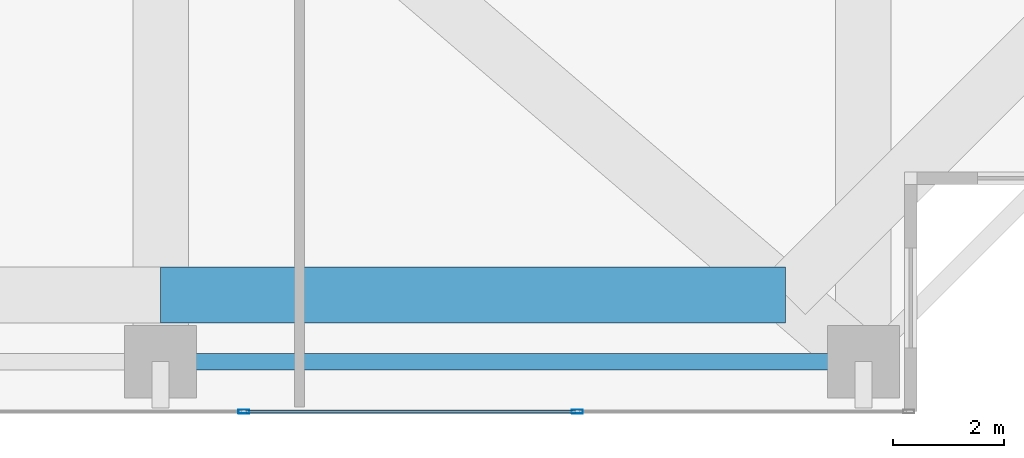
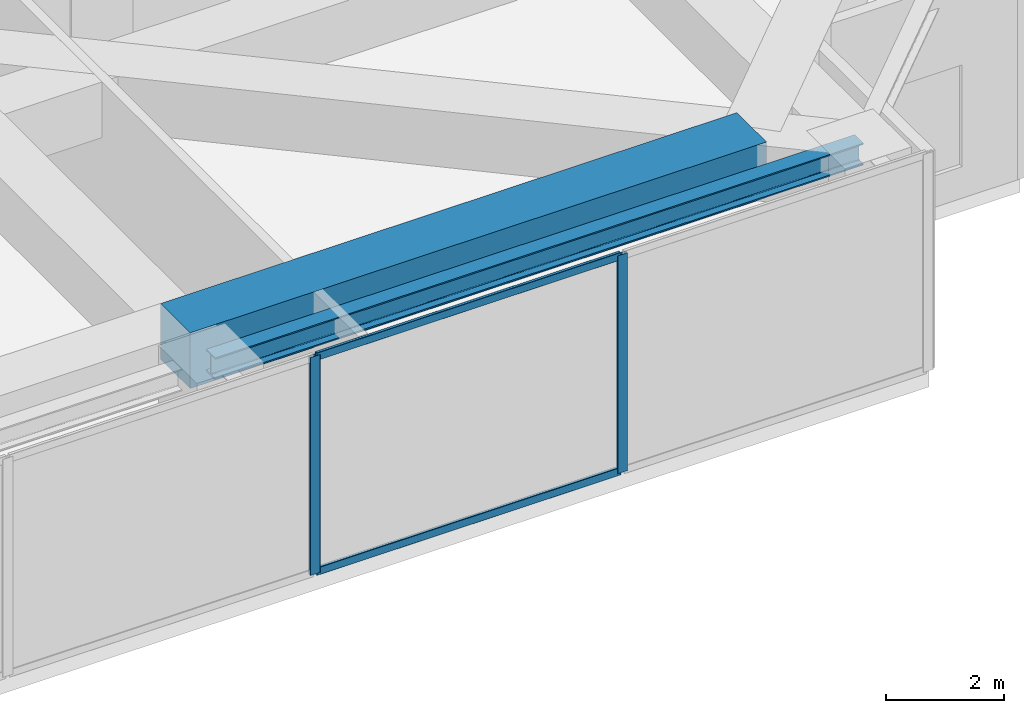
# One storey, part 11 of 35: 4 members, 2 beams, 1 element without a shape of its own.
"""IFC4 building model written with IfcOpenShell, lengths in metres."""

import ifcopenshell
import ifcopenshell.guid

model = None  # the IFC model being written
_history = None  # IfcOwnerHistory: only IFC2X3 demands one
_inside = {}  # id of a spatial element -> (the spatial element, [elements in it])
_under = {}  # id of a project, library or spatial element -> (it, [spatial elements below it])
_declared = {}  # id of a project -> (the project, [libraries it declares])
_typed = {}  # id of a type object -> (the type object, [elements of that type])
_made_of = {}  # id of a material, layer set ... -> (it, [elements and type objects made of it])


def new_model(schema):
    """Start an empty IFC model of exactly this schema.

    Asked for "IFC4X3", IfcOpenShell would pick the latest addendum, in which some entities
    have other attributes; the version numbers below select the first issue.
    IFC2X3 requires an IfcOwnerHistory on every rooted entity: one is made here for all.
    """
    global model, _history
    if schema == "IFC4X3":
        model = ifcopenshell.file(schema_version=(4, 3, 0, 0))
    else:
        model = ifcopenshell.file(schema=schema)
    _inside.clear()
    _under.clear()
    _declared.clear()
    _typed.clear()
    _made_of.clear()
    _history = None
    if model.schema == "IFC2X3":
        org = make("IfcOrganization", Name="unknown")
        user = make(
            "IfcPersonAndOrganization",
            ThePerson=make("IfcPerson", FamilyName="unknown"),
            TheOrganization=org,
        )
        app = make(
            "IfcApplication",
            ApplicationDeveloper=org,
            Version="unknown",
            ApplicationFullName="unknown",
            ApplicationIdentifier="unknown",
        )
        _history = make(
            "IfcOwnerHistory",
            OwningUser=user,
            OwningApplication=app,
            ChangeAction="ADDED",
            CreationDate=0,
        )
    return model


def make(cls, **values):
    """One entity of the class cls with the attributes given. An attribute that is None is left unset."""
    return model.create_entity(
        cls, **{name: value for name, value in values.items() if value is not None}
    )


def rooted(cls, **values):
    """An entity with a GlobalId (a new one), such as an element, a storey or a relation."""
    return make(cls, GlobalId=ifcopenshell.guid.new(), OwnerHistory=_history, **values)


def si_unit(unit_type, name, prefix=None):
    """IfcSIUnit, for example si_unit("LENGTHUNIT", "METRE", prefix="MILLI")."""
    return make("IfcSIUnit", UnitType=unit_type, Prefix=prefix, Name=name)


def assignment(units):
    """IfcUnitAssignment: the units of a project."""
    return None if units is None else make("IfcUnitAssignment", Units=units)


def point(xyz):
    """IfcCartesianPoint."""
    return None if xyz is None else make("IfcCartesianPoint", Coordinates=xyz)


def direction(xyz):
    """IfcDirection."""
    return None if xyz is None else make("IfcDirection", DirectionRatios=xyz)


def frame(location, z_axis=None, x_axis=None):
    """IfcAxis2Placement3D, a coordinate frame: its origin and axes. An axis left out is left unset."""
    return make(
        "IfcAxis2Placement3D",
        Location=point(location),
        Axis=direction(z_axis),
        RefDirection=direction(x_axis),
    )


def frame_2d(location, x_axis=None):
    """IfcAxis2Placement2D, a coordinate frame in the plane: its origin and x axis."""
    return make(
        "IfcAxis2Placement2D", Location=point(location), RefDirection=direction(x_axis)
    )


def origin():
    """The frame at (0, 0, 0) with its axes left unset."""
    return frame((0.0, 0.0, 0.0))


def origin_2d():
    """The frame at (0, 0) in the plane with its x axis left unset."""
    return frame_2d((0.0, 0.0))


def place(relative_to, where):
    """IfcLocalPlacement: puts the frame where relative to a parent placement (None: the world)."""
    return make(
        "IfcLocalPlacement", PlacementRelTo=relative_to, RelativePlacement=where
    )


def context(
    kind, dimensions, precision=None, world=None, true_north=None, identifier=None
):
    """IfcGeometricRepresentationContext, for example the 3D "Model" context."""
    return make(
        "IfcGeometricRepresentationContext",
        ContextIdentifier=identifier,
        ContextType=kind,
        CoordinateSpaceDimension=dimensions,
        Precision=precision,
        WorldCoordinateSystem=world,
        TrueNorth=true_north,
    )


def subcontext(parent, identifier, kind, view, scale=None):
    """IfcGeometricRepresentationSubContext, for example "Body" below "Model"."""
    return make(
        "IfcGeometricRepresentationSubContext",
        ContextIdentifier=identifier,
        ContextType=kind,
        ParentContext=parent,
        TargetScale=scale,
        TargetView=view,
    )


def project(units=None, contexts=None):
    """IfcProject with its units and contexts."""
    return rooted(
        "IfcProject",
        Name="project",
        RepresentationContexts=contexts,
        UnitsInContext=assignment(units),
    )


def spatial(cls, under=None, at=None, **own):
    """A site, building, storey or space (cls), placed at a placement, below another one or the project."""
    s = rooted(cls, ObjectPlacement=at, **own)
    if under is not None:
        _under.setdefault(under.id(), (under, []))[1].append(s)
    return s


def profile(cls, at=None, kind="AREA", **sizes):
    """A parametric profile (cls). Its sizes go by their IFC names, for example OverallWidth=200.0."""
    return make(cls, ProfileType=kind, Position=at, **sizes)


def rectangle(**sizes):
    """IfcRectangleProfileDef."""
    return profile("IfcRectangleProfileDef", **sizes)


def hollow_rectangle(**sizes):
    """IfcRectangleHollowProfileDef."""
    return profile("IfcRectangleHollowProfileDef", **sizes)


def i_section(**sizes):
    """IfcIShapeProfileDef."""
    return profile("IfcIShapeProfileDef", **sizes)


def extrude(swept, where, along, depth):
    """IfcExtrudedAreaSolid: the profile swept, set in the frame where, extruded along a direction by depth."""
    return make(
        "IfcExtrudedAreaSolid",
        SweptArea=swept,
        Position=where,
        ExtrudedDirection=direction(along),
        Depth=depth,
    )


def shape(context_of_items, identifier, shape_type, items):
    """IfcShapeRepresentation: the items that make up one representation, for example the "Body"."""
    return make(
        "IfcShapeRepresentation",
        ContextOfItems=context_of_items,
        RepresentationIdentifier=identifier,
        RepresentationType=shape_type,
        Items=items,
    )


def source(mapping_origin, context_of_items, identifier, shape_type, items):
    """IfcRepresentationMap: a shape defined once, which mapped items show again and again."""
    return make(
        "IfcRepresentationMap",
        MappingOrigin=mapping_origin,
        MappedRepresentation=shape(context_of_items, identifier, shape_type, items),
    )


def transform(
    local_origin,
    x_axis=None,
    y_axis=None,
    z_axis=None,
    scale=None,
    scale2=None,
    scale3=None,
    uniform=True,
):
    """IfcCartesianTransformationOperator3D, or its non-uniform kind. x_axis, y_axis, z_axis: its Axis1, 2, 3."""
    if uniform:
        return make(
            "IfcCartesianTransformationOperator3D",
            Axis1=direction(x_axis),
            Axis2=direction(y_axis),
            LocalOrigin=point(local_origin),
            Scale=scale,
            Axis3=direction(z_axis),
        )
    return make(
        "IfcCartesianTransformationOperator3DnonUniform",
        Axis1=direction(x_axis),
        Axis2=direction(y_axis),
        LocalOrigin=point(local_origin),
        Scale=scale,
        Axis3=direction(z_axis),
        Scale2=scale2,
        Scale3=scale3,
    )


def mapped(mapping_source, mapping_target):
    """IfcMappedItem: shows the shape of a source again, moved by a transform."""
    return make(
        "IfcMappedItem", MappingSource=mapping_source, MappingTarget=mapping_target
    )


def material(Name=None, Category=None):
    """IfcMaterial."""
    return make("IfcMaterial", Name=Name, Category=Category)


def layer(
    of_material, thickness, ventilated=None, Name=None, Category=None, Priority=None
):
    """IfcMaterialLayer: one layer of a wall or slab, of a material (None: an air gap)."""
    return make(
        "IfcMaterialLayer",
        Material=of_material,
        LayerThickness=thickness,
        IsVentilated=ventilated,
        Name=Name,
        Category=Category,
        Priority=Priority,
    )


def layer_set(layers, Name=None):
    """IfcMaterialLayerSet."""
    return make("IfcMaterialLayerSet", MaterialLayers=layers, LayerSetName=Name)


def material_profile(
    of_material, cross_section, Name=None, Category=None, Priority=None
):
    """IfcMaterialProfile: a cross section and its material."""
    return make(
        "IfcMaterialProfile",
        Name=Name,
        Material=of_material,
        Profile=cross_section,
        Priority=Priority,
        Category=Category,
    )


def profile_set(profiles, Name=None, composite=None):
    """IfcMaterialProfileSet."""
    return make(
        "IfcMaterialProfileSet",
        Name=Name,
        MaterialProfiles=profiles,
        CompositeProfile=composite,
    )


def made_of(thing, what):
    """Note that an element or type object is made of a material, layer set ...; save() writes the relation."""
    if what is not None:
        _made_of.setdefault(what.id(), (what, []))[1].append(thing)
    return thing


def type_object(cls, material=None, **own):
    """A type object (cls), such as IfcWallType, which elements share."""
    return made_of(rooted(cls, **own), material)


def element(
    cls,
    number,
    at=None,
    inside=None,
    cuts=None,
    type_object=None,
    material=None,
    context=None,
    identifier="Body",
    shape_type=None,
    held_by="IfcProductDefinitionShape",
    body=None,
    shapes=None,
    **own,
):
    """One element of the class cls, such as IfcWall. Its Tag is "e" and its number.

    at: its placement. inside: the storey or other place that contains it. cuts: it is an
    opening in that element (IfcRelVoidsElement). A single representation is given by context,
    identifier, shape_type and body (its items); several are given by shapes. held_by: the class
    of the entity that holds the representations. save() writes the other relations.
    """
    e = rooted(cls, Tag="e%d" % number, ObjectPlacement=at, **own)
    if body is not None:
        shapes = [shape(context, identifier, shape_type, body)]
    if shapes is not None:
        e.Representation = make(held_by, Representations=shapes)
    if inside is not None:
        _inside.setdefault(inside.id(), (inside, []))[1].append(e)
    if cuts is not None:
        rooted(
            "IfcRelVoidsElement", RelatingBuildingElement=cuts, RelatedOpeningElement=e
        )
    if type_object is not None:
        _typed.setdefault(type_object.id(), (type_object, []))[1].append(e)
    return made_of(e, material)


def aggregate(whole, parts):
    """IfcRelAggregates: a whole, such as a stair, and the parts it consists of."""
    return rooted("IfcRelAggregates", RelatingObject=whole, RelatedObjects=parts)


def save(model, path):
    """Write the relations noted so far, then the file.

    IfcRelAggregates (storeys below a building ...), IfcRelContainedInSpatialStructure (elements
    in a storey), IfcRelDefinesByType, IfcRelAssociatesMaterial and IfcRelDeclares: one each for
    every whole, place, type object, material and project.
    """
    for whole, parts in _under.values():
        aggregate(whole, parts)
    for where, things in _inside.values():
        rooted(
            "IfcRelContainedInSpatialStructure",
            RelatedElements=things,
            RelatingStructure=where,
        )
    for kind, things in _typed.values():
        rooted("IfcRelDefinesByType", RelatedObjects=things, RelatingType=kind)
    for what, things in _made_of.values():
        rooted("IfcRelAssociatesMaterial", RelatedObjects=things, RelatingMaterial=what)
    for by, libraries in _declared.values():
        rooted("IfcRelDeclares", RelatingContext=by, RelatedDefinitions=libraries)
    model.write(path)


model = new_model("IFC4")

# Units and contexts
model_context = context("Model", 3, precision=1e-05, world=origin(), true_north=direction((0.0, 1.0)))
body_context = subcontext(model_context, "Body", "Model", "MODEL_VIEW")
ifc_project = project(units=[si_unit("LENGTHUNIT", "METRE"), si_unit("AREAUNIT", "SQUARE_METRE"), si_unit("VOLUMEUNIT", "CUBIC_METRE"), si_unit("PLANEANGLEUNIT", "RADIAN"), si_unit("MASSUNIT", "GRAM", prefix="KILO")], contexts=[model_context])

# Site, building, storey
site_placement = place(None, origin())
site = spatial("IfcSite", under=ifc_project, at=site_placement, CompositionType="ELEMENT")
building_placement = place(site_placement, origin())
building = spatial("IfcBuilding", under=site, at=building_placement, Name="Serunith Strait Residences", CompositionType="ELEMENT")
storey_placement = place(building_placement, frame((0.0, 0.0, 115.199951171875)))
storey = spatial("IfcBuildingStorey", under=building, at=storey_placement, Name="L28", CompositionType="ELEMENT", Elevation=115.199951171875)

# Beams
ifc_material_1 = material(Name="Steel S355J2", Category="steel")
ifc_material_profile_1 = material_profile(ifc_material_1, i_section(OverallWidth=0.300048828125, OverallDepth=0.449951171875, WebThickness=0.013916015625, FlangeThickness=0.02587890625, FilletRadius=0.027099609375, at=origin_2d()), Name="HEB 450")
ifc_profile_set_1 = profile_set([ifc_material_profile_1], Name="Steel S355J2")
beam_type_1 = type_object("IfcBeamType", Name="BM-HEB450", PredefinedType="BEAM", material=ifc_profile_set_1)
shared_shape_1 = source(origin(), body_context, "Body", "SweptSolid", [
    extrude(i_section(OverallWidth=0.300048828125, OverallDepth=0.449951171875, WebThickness=0.013916015625, FlangeThickness=0.02587890625, FilletRadius=0.027099609375, at=origin_2d()), origin(), (0.0, 0.0, 1.0), 12.650146484375),
])
beam_1_placement = place(storey_placement, frame((36.89990234375, 1.10009765625, 4.281982421875), z_axis=(1.0, 0.0, 0.0), x_axis=(0.0, 1.0, 0.0)))
element("IfcBeam", 1, at=beam_1_placement, inside=storey, type_object=beam_type_1, Name="L28 Perimeter Ring Beam 03", PredefinedType="BEAM", context=body_context, shape_type="MappedRepresentation", body=[
    mapped(shared_shape_1, transform((0.0, 0.0, 0.0), scale=1.0)),
])
ifc_material_2 = material(Name="Concrete C80/95", Category="concrete")
ifc_material_profile_2 = material_profile(ifc_material_2, rectangle(XDim=1.0, YDim=1.14990234375, at=origin_2d()), Name="RC 1000x1150")
ifc_profile_set_2 = profile_set([ifc_material_profile_2], Name="Concrete C80/95")
beam_type_2 = type_object("IfcBeamType", Name="BM-XFER-1000x1150", PredefinedType="BEAM", material=ifc_profile_set_2)
shared_shape_2 = source(origin(), body_context, "Body", "SweptSolid", [
    extrude(rectangle(XDim=1.0, YDim=1.14990234375, at=origin_2d()), origin(), (0.0, 0.0, 1.0), 11.25),
])
beam_2_placement = place(storey_placement, frame((36.89990234375, 2.300048828125, 3.93505859375), z_axis=(1.0, 0.0, 0.0), x_axis=(0.0, 1.0, 0.0)))
element("IfcBeam", 2, at=beam_2_placement, inside=storey, type_object=beam_type_2, Name="L28 Flare Upper Ring Transfer Girder 03", PredefinedType="BEAM", context=body_context, shape_type="MappedRepresentation", body=[
    mapped(shared_shape_2, transform((0.0, 0.0, 0.0), scale=1.0)),
])

# Curtain wall, members
ifc_material_3 = material(Name="Pale-Champagne Anodised Aluminium", Category="aluminium")
ifc_layer = layer(ifc_material_3, 0.199951171875, Name="Pale-Champagne Anodised Aluminium")
ifc_layer_set = layer_set([ifc_layer], Name="Pale-Champagne Anodised Aluminium")
curtain_wall_type = type_object("IfcCurtainWallType", Name="CW-SYS1", PredefinedType="NOTDEFINED", material=ifc_layer_set)
curtain_wall_placement = place(storey_placement, origin())
curtain_wall = element("IfcCurtainWall", 3, at=curtain_wall_placement, inside=storey, type_object=curtain_wall_type, Name="L28 S Unitised Fritted Curtain Wall", PredefinedType="NOTDEFINED")
ifc_material_profile_3 = material_profile(ifc_material_3, hollow_rectangle(XDim=0.06005859375, YDim=0.159912109375, WallThickness=0.00341796875, InnerFilletRadius=0.00537109375, OuterFilletRadius=0.0087890625, at=origin_2d()), Name="ALU 160x60x3.5")
ifc_profile_set_3 = profile_set([ifc_material_profile_3], Name="Pale-Champagne Anodised Aluminium")
member_type_1 = type_object("IfcMemberType", Name="CW-SYS1-TRAN", PredefinedType="USERDEFINED", material=ifc_profile_set_3)
shared_shape_3 = source(origin(), body_context, "Body", "SweptSolid", [
    extrude(hollow_rectangle(XDim=0.06005859375, YDim=0.159912109375, WallThickness=0.00341796875, InnerFilletRadius=0.00537109375, OuterFilletRadius=0.0087890625, at=origin_2d()), origin(), (0.0, 0.0, 1.0), 5.929931640625),
])
member_1_placement = place(storey_placement, frame((38.43505859375, 0.199951171875, 0.030029296875), z_axis=(1.0, 0.0, 0.0), x_axis=(0.0, 1.0, 0.0)))
member_1 = element("IfcMember", 4, at=member_1_placement, type_object=member_type_1, Name="CW-1 transom 5.1", ObjectType="TRANSOM", PredefinedType="USERDEFINED", context=body_context, shape_type="MappedRepresentation", body=[
    mapped(shared_shape_3, transform((0.0, 0.0, 0.0), scale=1.0)),
])
member_2_placement = place(storey_placement, frame((38.43505859375, 0.199951171875, 4.465087890625), z_axis=(1.0, 0.0, 0.0), x_axis=(0.0, 1.0, 0.0)))
member_2 = element("IfcMember", 5, at=member_2_placement, type_object=member_type_1, Name="CW-1 transom 5.2", ObjectType="TRANSOM", PredefinedType="USERDEFINED", context=body_context, shape_type="MappedRepresentation", body=[
    mapped(shared_shape_3, transform((0.0, 0.0, 0.0), scale=1.0)),
])
ifc_material_profile_4 = material_profile(ifc_material_3, hollow_rectangle(XDim=0.070068359375, YDim=0.199951171875, WallThickness=0.00390625, InnerFilletRadius=0.006103515625, OuterFilletRadius=0.010009765625, at=origin_2d()), Name="ALU 200x70x4")
ifc_profile_set_4 = profile_set([ifc_material_profile_4], Name="Pale-Champagne Anodised Aluminium")
member_type_2 = type_object("IfcMemberType", Name="CW-SYS1-MULL", PredefinedType="MULLION", material=ifc_profile_set_4)
shared_shape_4 = source(origin(), body_context, "Body", "SweptSolid", [
    extrude(hollow_rectangle(XDim=0.070068359375, YDim=0.199951171875, WallThickness=0.00390625, InnerFilletRadius=0.006103515625, OuterFilletRadius=0.010009765625, at=origin_2d()), origin(), (0.0, 0.0, 1.0), 4.4951171875),
])
member_3_placement = place(storey_placement, frame((38.39990234375, 0.199951171875, 0.0), z_axis=(0.0, 0.0, 1.0), x_axis=(0.0, 1.0, 0.0)))
member_3 = element("IfcMember", 6, at=member_3_placement, type_object=member_type_2, Name="CW-1 mullion 5", PredefinedType="MULLION", context=body_context, shape_type="MappedRepresentation", body=[
    mapped(shared_shape_4, transform((0.0, 0.0, 0.0), scale=1.0)),
])
member_4_placement = place(storey_placement, frame((44.39990234375, 0.199951171875, 0.0), z_axis=(0.0, 0.0, 1.0), x_axis=(0.0, 1.0, 0.0)))
member_4 = element("IfcMember", 7, at=member_4_placement, type_object=member_type_2, Name="CW-1 mullion 6", PredefinedType="MULLION", context=body_context, shape_type="MappedRepresentation", body=[
    mapped(shared_shape_4, transform((0.0, 0.0, 0.0), scale=1.0)),
])
aggregate(curtain_wall, [member_3, member_4, member_1, member_2])

save(model, "model.ifc")
